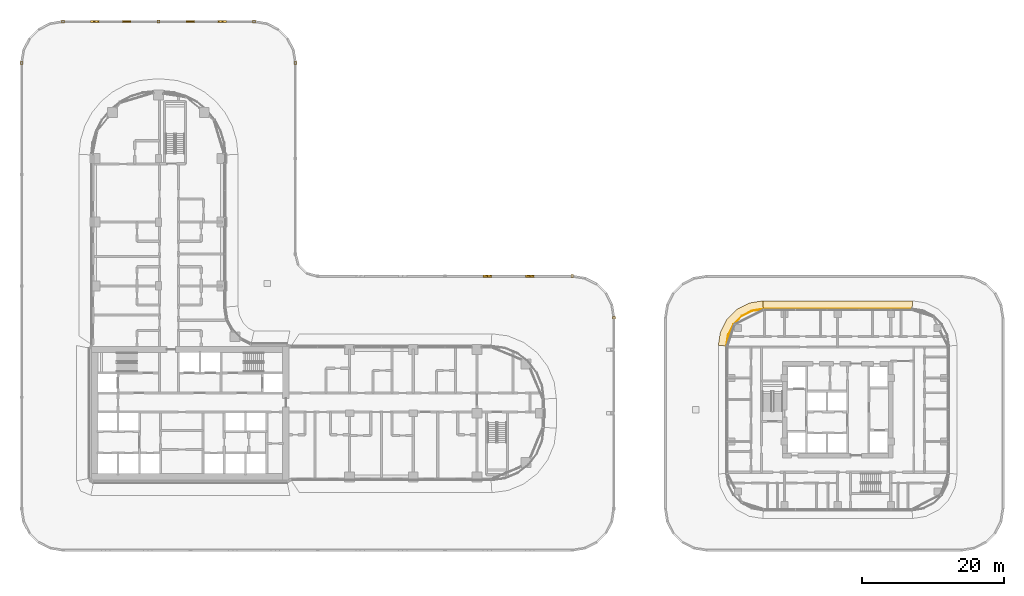
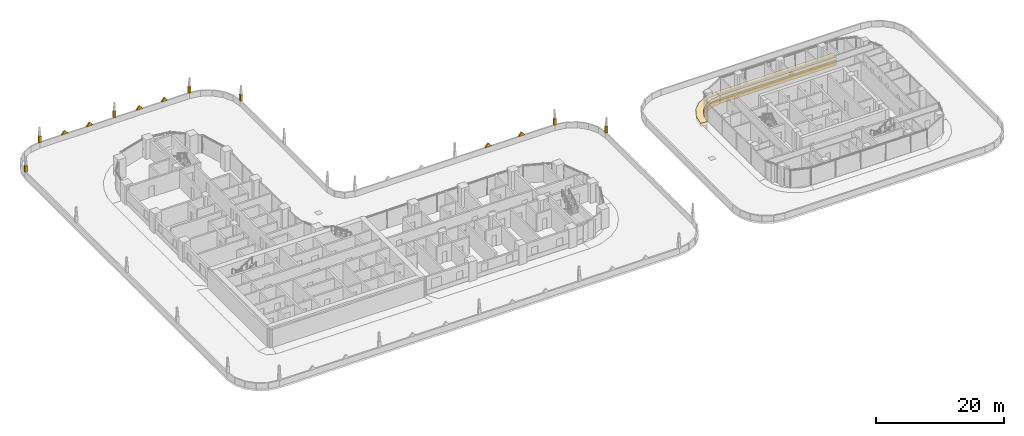
# One storey, part 46 of 51: 17 coverings.
"""IFC4 building model written with IfcOpenShell, lengths in metres."""

from ifc_helpers import new_model, si_unit, direction, frame, origin, origin_2d, place, context, subcontext, project, spatial, polyline, rectangle, outline, extrude, material, layer, layer_set, type_object, element, save


model = new_model("IFC4")

# Units and contexts
model_context = context("Model", 3, precision=1e-05, world=origin(), true_north=direction((0.0, 1.0)))
body_context = subcontext(model_context, "Body", "Model", "MODEL_VIEW")
ifc_project = project(units=[si_unit("LENGTHUNIT", "METRE"), si_unit("AREAUNIT", "SQUARE_METRE"), si_unit("VOLUMEUNIT", "CUBIC_METRE"), si_unit("PLANEANGLEUNIT", "RADIAN"), si_unit("MASSUNIT", "GRAM", prefix="KILO")], contexts=[model_context])

# Site, building, storey
site_placement = place(None, origin())
site = spatial("IfcSite", under=ifc_project, at=site_placement, CompositionType="ELEMENT")
building_placement = place(site_placement, origin())
building = spatial("IfcBuilding", under=site, at=building_placement, Name="Ogive Portal Towers", CompositionType="ELEMENT")
storey_placement = place(building_placement, frame((0.0, 0.0, 33.5)))
storey = spatial("IfcBuildingStorey", under=building, at=storey_placement, Name="L06", CompositionType="ELEMENT", Elevation=33.5)

# Coverings
ifc_material = material(Name="Limestone cladding on lightweight block wall", Category="masonry")
ifc_layer_1 = layer(ifc_material, 0.300048828125)
ifc_layer_set_1 = layer_set([ifc_layer_1], Name="PARAPET GABLE STONE")
covering_type_1 = type_object("IfcCoveringType", Name="PARAPET GABLE STONE", PredefinedType="CLADDING", material=ifc_layer_set_1)
covering_1_placement = place(storey_placement, frame((86.386962890625, 49.75, 1.10009765625), z_axis=(0.0, -1.0, 0.0), x_axis=(1.0, 0.0, 0.0)))
element("IfcCovering", 1, at=covering_1_placement, inside=storey, type_object=covering_type_1, Name="PARAPET GABLE", PredefinedType="CLADDING", context=body_context, shape_type="SweptSolid", body=[
    extrude(outline(polyline([(0.0, 0.0), (1.199951171875, 0.0), (0.599853515625, 0.699951171875), (0.0, 0.0)])), origin(), (0.0, 0.0, -1.0), 0.25),
])
for number, where, z_axis, x_axis, name in (
    (2, (92.383544921875, 49.75, 1.10009765625), (0.0, -1.0, 0.0), (1.0, 0.0, 0.0), "PARAPET GABLE"),
    (3, (30.9130859375, 85.75, 1.10009765625), (0.0, -1.0, 0.0), (1.0, 0.0, 0.0), "PARAPET GABLE"),
):
    element("IfcCovering", number, at=place(storey_placement, frame(where, z_axis=z_axis, x_axis=x_axis)), inside=storey, type_object=covering_type_1, Name=name, PredefinedType="CLADDING", context=body_context, shape_type="SweptSolid", body=[
        extrude(outline(polyline([(0.0, 0.0), (1.199951171875, 0.0), (0.60009765625, 0.699951171875), (0.0, 0.0)])), origin(), (0.0, 0.0, -1.0), 0.25),
    ])
for number, where, z_axis, x_axis, name in (
    (4, (35.406494140625, 85.75, 1.10009765625), (0.0, -1.0, 0.0), (1.0, 0.0, 0.0), "PARAPET GABLE"),
    (5, (44.393310546875, 85.75, 1.10009765625), (0.0, -1.0, 0.0), (1.0, 0.0, 0.0), "PARAPET GABLE"),
):
    element("IfcCovering", number, at=place(storey_placement, frame(where, z_axis=z_axis, x_axis=x_axis)), inside=storey, type_object=covering_type_1, Name=name, PredefinedType="CLADDING", context=body_context, shape_type="SweptSolid", body=[
        extrude(outline(polyline([(0.0, 0.0), (1.2001953125, 0.0), (0.60009765625, 0.699951171875), (0.0, 0.0)])), origin(), (0.0, 0.0, -1.0), 0.25),
    ])
covering_2_placement = place(storey_placement, frame((48.886962890625, 85.75, 1.10009765625), z_axis=(0.0, -1.0, 0.0), x_axis=(1.0, 0.0, 0.0)))
element("IfcCovering", 6, at=covering_2_placement, inside=storey, type_object=covering_type_1, Name="PARAPET GABLE", PredefinedType="CLADDING", context=body_context, shape_type="SweptSolid", body=[
    extrude(outline(polyline([(0.0, 0.0), (1.199951171875, 0.0), (0.599853515625, 0.699951171875), (0.0, 0.0)])), origin(), (0.0, 0.0, -1.0), 0.25),
])
ifc_layer_2 = layer(ifc_material, 0.39990234375)
ifc_layer_set_2 = layer_set([ifc_layer_2], Name="PINNACLE SHAFT STONE")
covering_type_2 = type_object("IfcCoveringType", Name="PINNACLE SHAFT STONE", PredefinedType="CLADDING", material=ifc_layer_set_2)
for number, where, z_axis, x_axis, name in (
    (7, (21.125, 79.980224609375, 1.10009765625), (0.0, 0.0, 1.0), (1.0, 0.0, 0.0), "PINNACLE"),
    (8, (104.875, 43.980224609375, 1.10009765625), (0.0, 0.0, 1.0), (1.0, 0.0, 0.0), "PINNACLE"),
    (9, (98.980224609375, 49.875, 1.10009765625), (0.0, 0.0, 1.0), (1.0, 0.0, 0.0), "PINNACLE"),
    (10, (59.875, 79.980224609375, 1.10009765625), (0.0, 0.0, 1.0), (1.0, 0.0, 0.0), "PINNACLE"),
    (11, (53.980224609375, 85.875, 1.10009765625), (0.0, 0.0, 1.0), (1.0, 0.0, 0.0), "PINNACLE"),
    (12, (40.5, 85.875, 1.10009765625), (0.0, 0.0, 1.0), (1.0, 0.0, 0.0), "PINNACLE"),
    (13, (27.019775390625, 85.875, 1.10009765625), (0.0, 0.0, 1.0), (1.0, 0.0, 0.0), "PINNACLE"),
):
    element("IfcCovering", number, at=place(storey_placement, frame(where, z_axis=z_axis, x_axis=x_axis)), inside=storey, type_object=covering_type_2, Name=name, PredefinedType="CLADDING", context=body_context, shape_type="SweptSolid", body=[
        extrude(rectangle(XDim=0.39990234375, YDim=0.39990234375, at=origin_2d()), origin(), (0.0, 0.0, 1.0), 1.199951171875),
    ])
ifc_layer_3 = layer(ifc_material, 0.080078125)
ifc_layer_set_3 = layer_set([ifc_layer_3], Name="STONE SPANDREL 80")
covering_type_3 = type_object("IfcCoveringType", Name="STONE SPANDREL 80", PredefinedType="CLADDING", material=ifc_layer_set_3)
covering_3_placement = place(storey_placement, frame((0.0, 0.0, -1.60009765625)))
element("IfcCovering", 14, at=covering_3_placement, inside=storey, type_object=covering_type_3, Name="Stone spandrel B1-F06", PredefinedType="CLADDING", context=body_context, shape_type="SweptSolid", body=[
    extrude(outline(polyline([(147.0, 45.179931640625), (126.0, 45.179931640625), (125.99365234375, 45.260009765625), (147.00634765625, 45.260009765625), (147.0, 45.179931640625)])), origin(), (0.0, 0.0, 1.0), 1.0),
])
covering_4_placement = place(storey_placement, frame((0.0, 0.0, -1.60009765625)))
element("IfcCovering", 15, at=covering_4_placement, inside=storey, type_object=covering_type_3, Name="Stone spandrel B1-F07", PredefinedType="CLADDING", context=body_context, shape_type="SweptSolid", body=[
    extrude(outline(polyline([(126.0, 45.179931640625), (124.399169921875, 44.926513671875), (122.955322265625, 44.190673828125), (121.809326171875, 43.044677734375), (121.073486328125, 41.600830078125), (120.820068359375, 40.0), (120.739990234375, 40.00634765625), (120.99658203125, 41.625732421875), (121.74365234375, 43.09228515625), (122.90771484375, 44.25634765625), (124.374267578125, 45.00341796875), (125.99365234375, 45.260009765625), (126.0, 45.179931640625)])), origin(), (0.0, 0.0, 1.0), 1.0),
])
ifc_layer_4 = layer(ifc_material, 0.60009765625)
ifc_layer_set_4 = layer_set([ifc_layer_4], Name="SUNSHADE LIP 600")
covering_type_4 = type_object("IfcCoveringType", Name="SUNSHADE LIP 600", PredefinedType="CLADDING", material=ifc_layer_set_4)
covering_5_placement = place(storey_placement, frame((0.0, 0.0, -0.60009765625)))
element("IfcCovering", 16, at=covering_5_placement, inside=storey, type_object=covering_type_4, Name="Sunshade lip B1-F06", PredefinedType="CLADDING", context=body_context, shape_type="SweptSolid", body=[
    extrude(outline(polyline([(147.0, 45.179931640625), (126.0, 45.179931640625), (125.905517578125, 46.3798828125), (147.094482421875, 46.3798828125), (147.0, 45.179931640625)])), origin(), (0.0, 0.0, 1.0), 0.60009765625),
])
covering_6_placement = place(storey_placement, frame((0.0, 0.0, -0.60009765625)))
element("IfcCovering", 17, at=covering_6_placement, inside=storey, type_object=covering_type_4, Name="Sunshade lip B1-F07", PredefinedType="CLADDING", context=body_context, shape_type="SweptSolid", body=[
    extrude(outline(polyline([(126.0, 45.179931640625), (124.399169921875, 44.926513671875), (122.955322265625, 44.190673828125), (121.809326171875, 43.044677734375), (121.073486328125, 41.600830078125), (120.820068359375, 40.0), (119.6201171875, 40.094482421875), (119.91796875, 41.97607421875), (120.826416015625, 43.7587890625), (122.2412109375, 45.173583984375), (124.02392578125, 46.08203125), (125.905517578125, 46.3798828125), (126.0, 45.179931640625)])), origin(), (0.0, 0.0, 1.0), 0.60009765625),
])

save(model, "model.ifc")
